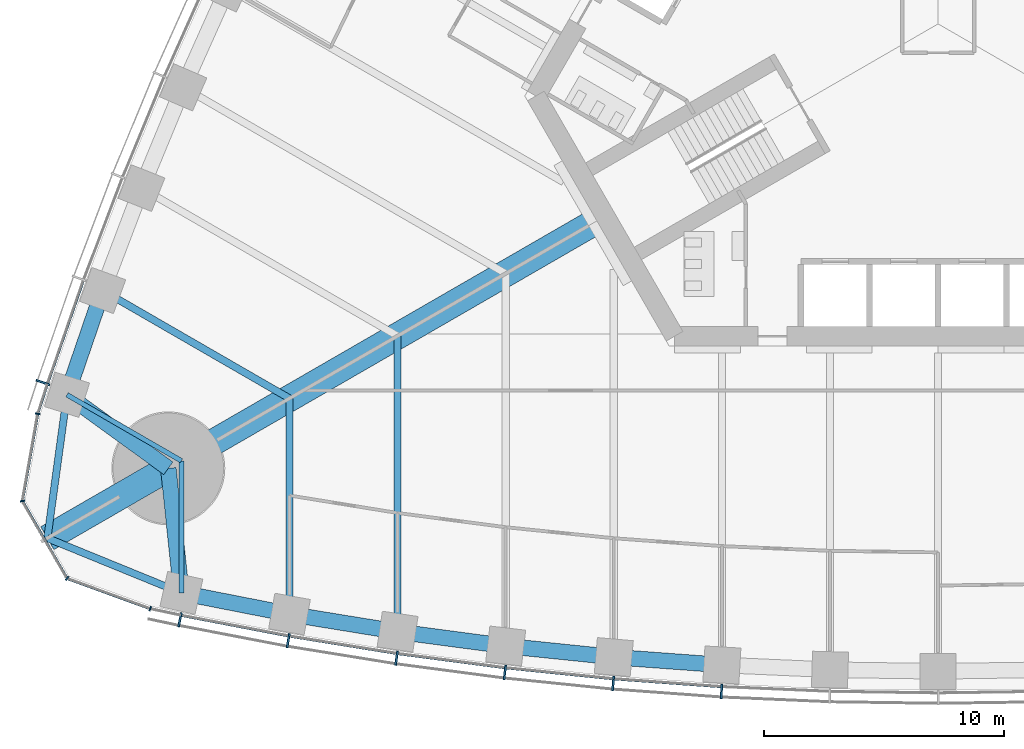
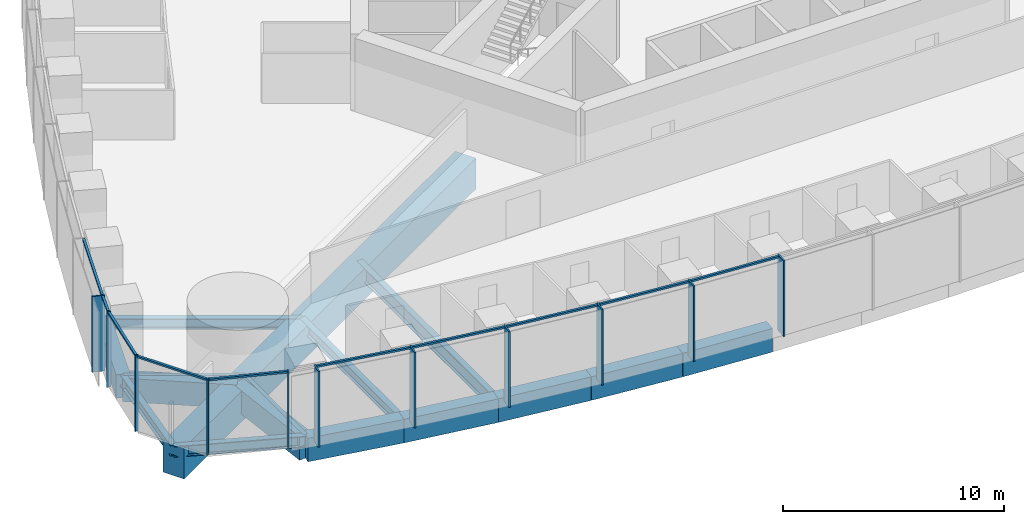
# One storey, part 2 of 18: 21 members, 17 beams, 3 elements without a shape of their own.
"""IFC4 building model written with IfcOpenShell, lengths in metres."""

from ifc_helpers import new_model, si_unit, direction, frame, origin, origin_2d, place, context, subcontext, project, spatial, rectangle, i_section, extrude, material, material_profile, profile_set, type_object, element, aggregate, save


model = new_model("IFC4")

# Units and contexts
model_context = context("Model", 3, precision=1e-05, world=origin(), true_north=direction((0.0, 1.0)))
body_context = subcontext(model_context, "Body", "Model", "MODEL_VIEW")
ifc_project = project(units=[si_unit("LENGTHUNIT", "METRE"), si_unit("AREAUNIT", "SQUARE_METRE"), si_unit("VOLUMEUNIT", "CUBIC_METRE"), si_unit("PLANEANGLEUNIT", "RADIAN"), si_unit("MASSUNIT", "GRAM", prefix="KILO")], contexts=[model_context])

# Site, building, storey
site_placement = place(None, origin())
site = spatial("IfcSite", under=ifc_project, at=site_placement, CompositionType="ELEMENT")
building_placement = place(site_placement, origin())
building = spatial("IfcBuilding", under=site, at=building_placement, Name="Trefoil Bronze Tower", CompositionType="ELEMENT")
storey_placement = place(building_placement, frame((0.0, 0.0, 33.300048828125)))
storey = spatial("IfcBuildingStorey", under=building, at=storey_placement, Name="L07", CompositionType="ELEMENT", Elevation=33.300048828125)

# Curtain wall, members
ifc_material_1 = material(Name="Tinted solar-control glass", Category="glass")
curtain_wall_type_1 = type_object("IfcCurtainWallType", Name="Bronze office curtain wall", PredefinedType="USERDEFINED", material=ifc_material_1)
curtain_wall_1_placement = place(storey_placement, origin())
curtain_wall_1 = element("IfcCurtainWall", 1, at=curtain_wall_1_placement, inside=storey, type_object=curtain_wall_type_1, Name="CW-A L07 F1", ObjectType="CURTAIN WALL", PredefinedType="USERDEFINED")
ifc_material_2 = material(Name="Bronze-finish aluminium", Category="aluminium")
ifc_material_profile_1 = material_profile(ifc_material_2, rectangle(XDim=0.60009765625, YDim=0.080078125, at=origin_2d()), Name="CW-A mullion")
ifc_profile_set_1 = profile_set([ifc_material_profile_1], Name="Bronze-finish aluminium")
member_type_1 = type_object("IfcMemberType", Name="Bronze office curtain wall mullion", PredefinedType="MULLION", material=ifc_profile_set_1)
member_1_placement = place(storey_placement, frame((-31.559326171875, -24.81005859375, 0.0), z_axis=(0.0, 0.0, 1.0), x_axis=(0.197910006829, 0.98022019424, 0.0)))
member_1 = element("IfcMember", 2, at=member_1_placement, type_object=member_type_1, Name="CW-A L07 F1 mullion 2", PredefinedType="MULLION", context=body_context, shape_type="SweptSolid", body=[
    extrude(rectangle(XDim=0.60009765625, YDim=0.080078125, at=origin_2d()), origin(), (0.0, 0.0, 1.0), 4.179931640625),
])
member_2_placement = place(storey_placement, frame((-27.05224609375, -25.67578125, 0.0), z_axis=(0.0, 0.0, 1.0), x_axis=(0.174131146426, 0.984722470468, 0.0)))
member_2 = element("IfcMember", 3, at=member_2_placement, type_object=member_type_1, Name="CW-A L07 F1 mullion 3", PredefinedType="MULLION", context=body_context, shape_type="SweptSolid", body=[
    extrude(rectangle(XDim=0.60009765625, YDim=0.080078125, at=origin_2d()), origin(), (0.0, 0.0, 1.0), 4.179931640625),
])
member_3_placement = place(storey_placement, frame((-22.54345703125, -26.40478515625, 0.0), z_axis=(0.0, 0.0, 1.0), x_axis=(0.145108990094, 0.989415676546, 0.0)))
member_3 = element("IfcMember", 4, at=member_3_placement, type_object=member_type_1, Name="CW-A L07 F1 mullion 4", PredefinedType="MULLION", context=body_context, shape_type="SweptSolid", body=[
    extrude(rectangle(XDim=0.60009765625, YDim=0.080078125, at=origin_2d()), origin(), (0.0, 0.0, 1.0), 4.179931640625),
])
member_4_placement = place(storey_placement, frame((-18.034912109375, -26.99853515625, 0.0), z_axis=(0.0, 0.0, 1.0), x_axis=(0.116086999973, 0.993239048989, 0.0)))
member_4 = element("IfcMember", 5, at=member_4_placement, type_object=member_type_1, Name="CW-A L07 F1 mullion 5", PredefinedType="MULLION", context=body_context, shape_type="SweptSolid", body=[
    extrude(rectangle(XDim=0.60009765625, YDim=0.080078125, at=origin_2d()), origin(), (0.0, 0.0, 1.0), 4.179931640625),
])
member_5_placement = place(storey_placement, frame((-13.526123046875, -27.458984375, 0.0), z_axis=(0.0, 0.0, 1.0), x_axis=(0.087065139456, 0.996202620701, 0.0)))
member_5 = element("IfcMember", 6, at=member_5_placement, type_object=member_type_1, Name="CW-A L07 F1 mullion 6", PredefinedType="MULLION", context=body_context, shape_type="SweptSolid", body=[
    extrude(rectangle(XDim=0.60009765625, YDim=0.080078125, at=origin_2d()), origin(), (0.0, 0.0, 1.0), 4.179931640625),
])
member_6_placement = place(storey_placement, frame((-9.017333984375, -27.786865234375, 0.0), z_axis=(0.0, 0.0, 1.0), x_axis=(0.058043374207, 0.998314062162, 0.0)))
member_6 = element("IfcMember", 7, at=member_6_placement, type_object=member_type_1, Name="CW-A L07 F1 mullion 7", PredefinedType="MULLION", context=body_context, shape_type="SweptSolid", body=[
    extrude(rectangle(XDim=0.60009765625, YDim=0.080078125, at=origin_2d()), origin(), (0.0, 0.0, 1.0), 4.179931640625),
])

# Curtain wall, member
curtain_wall_2_placement = place(storey_placement, origin())
curtain_wall_2 = element("IfcCurtainWall", 8, at=curtain_wall_2_placement, inside=storey, type_object=curtain_wall_type_1, Name="CW-A L07 F3", ObjectType="CURTAIN WALL", PredefinedType="USERDEFINED")
member_7_placement = place(storey_placement, frame((-37.265869140625, -14.92626953125, 0.0), z_axis=(0.0, 0.0, 1.0), x_axis=(0.947850592929, -0.318715003543, 0.0)))
member_7 = element("IfcMember", 9, at=member_7_placement, type_object=member_type_1, Name="CW-A L07 F3 mullion 16", PredefinedType="MULLION", context=body_context, shape_type="SweptSolid", body=[
    extrude(rectangle(XDim=0.60009765625, YDim=0.080078125, at=origin_2d()), origin(), (0.0, 0.0, 1.0), 4.179931640625),
])

# Member
ifc_material_3 = material(Name="Bronze-finish aluminium", Category="aluminium")
ifc_material_profile_2 = material_profile(ifc_material_3, rectangle(XDim=0.1201171875, YDim=0.10009765625, at=origin_2d()), Name="CW-A transom")
ifc_profile_set_2 = profile_set([ifc_material_profile_2], Name="Bronze-finish aluminium")
member_type_2 = type_object("IfcMemberType", Name="Bronze office curtain wall transom", PredefinedType="USERDEFINED", material=ifc_profile_set_2)
member_8_placement = place(storey_placement, frame((-31.4794921875, -24.621826171875, 4.1298828125), z_axis=(0.982053603997, -0.188602011855, 0.0), x_axis=(0.188602011855, 0.982053603997, 0.0)))
member_8 = element("IfcMember", 10, at=member_8_placement, type_object=member_type_2, Name="CW-A L07 F1 transom 2", ObjectType="TRANSOM", PredefinedType="USERDEFINED", context=body_context, shape_type="SweptSolid", body=[
    extrude(rectangle(XDim=0.1201171875, YDim=0.10009765625, at=origin_2d()), origin(), (0.0, 0.0, 1.0), 4.502197265625),
])

member_9_placement = place(storey_placement, frame((-26.9765625, -25.4853515625, 4.1298828125), z_axis=(0.987179401487, -0.159614627398, 0.0), x_axis=(0.159614627398, 0.987179401487, 0.0)))
member_9 = element("IfcMember", 11, at=member_9_placement, type_object=member_type_2, Name="CW-A L07 F1 transom 3", ObjectType="TRANSOM", PredefinedType="USERDEFINED", context=body_context, shape_type="SweptSolid", body=[
    extrude(rectangle(XDim=0.1201171875, YDim=0.10009765625, at=origin_2d()), origin(), (0.0, 0.0, 1.0), 4.478515625),
])

member_10_placement = place(storey_placement, frame((-22.473388671875, -26.212158203125, 4.1298828125), z_axis=(0.991436581643, -0.13058906761, 0.0), x_axis=(0.13058906761, 0.991436581643, 0.0)))
member_10 = element("IfcMember", 12, at=member_10_placement, type_object=member_type_2, Name="CW-A L07 F1 transom 4", ObjectType="TRANSOM", PredefinedType="USERDEFINED", context=body_context, shape_type="SweptSolid", body=[
    extrude(rectangle(XDim=0.1201171875, YDim=0.10009765625, at=origin_2d()), origin(), (0.0, 0.0, 1.0), 4.458740234375),
])

member_11_placement = place(storey_placement, frame((-17.970458984375, -26.80419921875, 4.1298828125), z_axis=(0.994831650915, -0.101538102888, 0.0), x_axis=(0.101538102888, 0.994831650915, 0.0)))
member_11 = element("IfcMember", 13, at=member_11_placement, type_object=member_type_2, Name="CW-A L07 F1 transom 5", ObjectType="TRANSOM", PredefinedType="USERDEFINED", context=body_context, shape_type="SweptSolid", body=[
    extrude(rectangle(XDim=0.1201171875, YDim=0.10009765625, at=origin_2d()), origin(), (0.0, 0.0, 1.0), 4.443359375),
])

member_12_placement = place(storey_placement, frame((-13.46728515625, -27.2626953125, 4.1298828125), z_axis=(0.997364729945, -0.07255064067, 0.0), x_axis=(0.07255064067, 0.997364729945, 0.0)))
member_12 = element("IfcMember", 14, at=member_12_placement, type_object=member_type_2, Name="CW-A L07 F1 transom 6", ObjectType="TRANSOM", PredefinedType="USERDEFINED", context=body_context, shape_type="SweptSolid", body=[
    extrude(rectangle(XDim=0.1201171875, YDim=0.10009765625, at=origin_2d()), origin(), (0.0, 0.0, 1.0), 4.431884765625),
])

aggregate(curtain_wall_1, [member_1, member_2, member_3, member_4, member_5, member_6, member_8, member_9, member_10, member_11, member_12])

member_13_placement = place(storey_placement, frame((-35.587646484375, -10.697509765625, 4.1298828125), z_axis=(-0.327689728493, -0.944785394595, 0.0), x_axis=(0.944785394595, -0.327689728493, 0.0)))
member_13 = element("IfcMember", 15, at=member_13_placement, type_object=member_type_2, Name="CW-A L07 F3 transom 15", ObjectType="TRANSOM", PredefinedType="USERDEFINED", context=body_context, shape_type="SweptSolid", body=[
    extrude(rectangle(XDim=0.1201171875, YDim=0.10009765625, at=origin_2d()), origin(), (0.0, 0.0, 1.0), 4.502197265625),
])

member_14_placement = place(storey_placement, frame((-37.089111328125, -15.02880859375, 4.1298828125), z_axis=(-0.309624219148, -0.950859002648, 0.0), x_axis=(0.950859002648, -0.309624219148, 0.0)))
member_14 = element("IfcMember", 16, at=member_14_placement, type_object=member_type_2, Name="CW-A L07 F3 transom 16", ObjectType="TRANSOM", PredefinedType="USERDEFINED", context=body_context, shape_type="SweptSolid", body=[
    extrude(rectangle(XDim=0.1201171875, YDim=0.10009765625, at=origin_2d()), origin(), (0.0, 0.0, 1.0), 1.21044921875),
])

aggregate(curtain_wall_2, [member_7, member_13, member_14])

# Curtain wall, members
ifc_material_4 = material(Name="Tinted solar-control glass", Category="glass")
curtain_wall_type_2 = type_object("IfcCurtainWallType", Name="Bronze rounded corner curtain wall", PredefinedType="USERDEFINED", material=ifc_material_4)
curtain_wall_3_placement = place(storey_placement, origin())
curtain_wall_3 = element("IfcCurtainWall", 17, at=curtain_wall_3_placement, inside=storey, type_object=curtain_wall_type_2, Name="CW-B L07 K3", ObjectType="CURTAIN WALL", PredefinedType="USERDEFINED")
ifc_material_5 = material(Name="Bronze-finish aluminium", Category="aluminium")
ifc_material_profile_3 = material_profile(ifc_material_5, rectangle(XDim=0.199951171875, YDim=0.06005859375, at=origin_2d()), Name="CW-B mullion")
ifc_profile_set_3 = profile_set([ifc_material_profile_3], Name="Bronze-finish aluminium")
member_type_3 = type_object("IfcMemberType", Name="Bronze rounded corner curtain wall mullion", PredefinedType="MULLION", material=ifc_profile_set_3)
member_15_placement = place(storey_placement, frame((-37.479736328125, -16.2314453125, 0.0), z_axis=(0.0, 0.0, 1.0), x_axis=(0.984807753012, -0.173648177667, 0.0)))
member_15 = element("IfcMember", 18, at=member_15_placement, type_object=member_type_3, Name="CW-B L07 K3 mullion 1", PredefinedType="MULLION", context=body_context, shape_type="SweptSolid", body=[
    extrude(rectangle(XDim=0.199951171875, YDim=0.06005859375, at=origin_2d()), origin(), (0.0, 0.0, 1.0), 4.179931640625),
])
member_16_placement = place(storey_placement, frame((-38.11328125, -19.85888671875, 0.0), z_axis=(0.0, 0.0, 1.0), x_axis=(0.984807753012, 0.173648177667, 0.0)))
member_16 = element("IfcMember", 19, at=member_16_placement, type_object=member_type_3, Name="CW-B L07 K3 mullion 2", PredefinedType="MULLION", context=body_context, shape_type="SweptSolid", body=[
    extrude(rectangle(XDim=0.199951171875, YDim=0.06005859375, at=origin_2d()), origin(), (0.0, 0.0, 1.0), 4.179931640625),
])
member_17_placement = place(storey_placement, frame((-36.2548828125, -23.07763671875, 0.0), z_axis=(0.0, 0.0, 1.0), x_axis=(0.642787609687, 0.766044443119, 0.0)))
member_17 = element("IfcMember", 20, at=member_17_placement, type_object=member_type_3, Name="CW-B L07 K3 mullion 3", PredefinedType="MULLION", context=body_context, shape_type="SweptSolid", body=[
    extrude(rectangle(XDim=0.199951171875, YDim=0.06005859375, at=origin_2d()), origin(), (0.0, 0.0, 1.0), 4.179931640625),
])
member_18_placement = place(storey_placement, frame((-32.796630859375, -24.3427734375, 0.0), z_axis=(0.0, 0.0, 1.0), x_axis=(0.342020143326, 0.939692620786, 0.0)))
member_18 = element("IfcMember", 21, at=member_18_placement, type_object=member_type_3, Name="CW-B L07 K3 mullion 4", PredefinedType="MULLION", context=body_context, shape_type="SweptSolid", body=[
    extrude(rectangle(XDim=0.199951171875, YDim=0.06005859375, at=origin_2d()), origin(), (0.0, 0.0, 1.0), 4.179931640625),
])
ifc_material_6 = material(Name="Bronze-finish aluminium", Category="aluminium")
ifc_material_profile_4 = material_profile(ifc_material_6, rectangle(XDim=0.1201171875, YDim=0.10009765625, at=origin_2d()), Name="CW-B transom")
ifc_profile_set_4 = profile_set([ifc_material_profile_4], Name="Bronze-finish aluminium")
member_type_4 = type_object("IfcMemberType", Name="Bronze rounded corner curtain wall transom", PredefinedType="USERDEFINED", material=ifc_profile_set_4)
member_19_placement = place(storey_placement, frame((-37.48486328125, -16.260986328125, 4.1298828125), z_axis=(-0.17363783606, -0.984809576461, 0.0), x_axis=(0.984809576461, -0.17363783606, 0.0)))
member_19 = element("IfcMember", 22, at=member_19_placement, type_object=member_type_4, Name="CW-B L07 K3 transom 1", ObjectType="TRANSOM", PredefinedType="USERDEFINED", context=body_context, shape_type="SweptSolid", body=[
    extrude(rectangle(XDim=0.1201171875, YDim=0.10009765625, at=origin_2d()), origin(), (0.0, 0.0, 1.0), 3.588134765625),
])
member_20_placement = place(storey_placement, frame((-38.08642578125, -19.91748046875, 4.1298828125), z_axis=(0.500024788772, -0.866011091507, 0.0), x_axis=(0.866011091507, 0.500024788772, 0.0)))
member_20 = element("IfcMember", 23, at=member_20_placement, type_object=member_type_4, Name="CW-B L07 K3 transom 2", ObjectType="TRANSOM", PredefinedType="USERDEFINED", context=body_context, shape_type="SweptSolid", body=[
    extrude(rectangle(XDim=0.1201171875, YDim=0.10009765625, at=origin_2d()), origin(), (0.0, 0.0, 1.0), 3.588134765625),
])
member_21_placement = place(storey_placement, frame((-36.196533203125, -23.105224609375, 4.1298828125), z_axis=(0.939688092095, -0.342032585545, 0.0), x_axis=(0.342032585545, 0.939688092095, 0.0)))
member_21 = element("IfcMember", 24, at=member_21_placement, type_object=member_type_4, Name="CW-B L07 K3 transom 3", ObjectType="TRANSOM", PredefinedType="USERDEFINED", context=body_context, shape_type="SweptSolid", body=[
    extrude(rectangle(XDim=0.1201171875, YDim=0.10009765625, at=origin_2d()), origin(), (0.0, 0.0, 1.0), 3.588134765625),
])
aggregate(curtain_wall_3, [member_15, member_16, member_17, member_18, member_19, member_20, member_21])

# Beams
ifc_material_7 = material(Name="Concrete B80", Category="concrete")
ifc_material_profile_5 = material_profile(ifc_material_7, rectangle(XDim=1.10009765625, YDim=1.699951171875, at=origin_2d()), Name="RC 1100x1700")
ifc_profile_set_5 = profile_set([ifc_material_profile_5], Name="Concrete B80")
beam_type_1 = type_object("IfcBeamType", Name="Corner cantilever RC 1100x1700", PredefinedType="BEAM", material=ifc_profile_set_5)
beam_1_placement = place(storey_placement, frame((-32.04296875, -18.5, -1.050048828125), z_axis=(-0.866030348588, -0.499991435252, 0.0), x_axis=(0.499991435252, -0.866030348588, 0.0)))
element("IfcBeam", 25, at=beam_1_placement, inside=storey, type_object=beam_type_1, Name="Corner cantilever K3 L07", PredefinedType="BEAM", context=body_context, shape_type="SweptSolid", body=[
    extrude(rectangle(XDim=1.10009765625, YDim=1.699951171875, at=origin_2d()), origin(), (0.0, 0.0, 1.0), 5.81396484375),
])
ifc_material_8 = material(Name="Steel C355", Category="steel")
ifc_material_profile_6 = material_profile(ifc_material_8, i_section(OverallWidth=0.300048828125, OverallDepth=0.60009765625, WebThickness=0.015380859375, FlangeThickness=0.030029296875, FilletRadius=0.027099609375, at=origin_2d()), Name="HEB 600")
ifc_profile_set_6 = profile_set([ifc_material_profile_6], Name="Steel C355")
beam_type_2 = type_object("IfcBeamType", Name="Corner edge beam HEB 600", PredefinedType="BEAM", material=ifc_profile_set_6)
beam_2_placement = place(storey_placement, frame((-31.5, -23.684814453125, -0.5), z_axis=(-0.925786874353, 0.378045848114, 0.0), x_axis=(-0.378045848114, -0.925786874353, 0.0)))
element("IfcBeam", 26, at=beam_2_placement, inside=storey, type_object=beam_type_2, Name="Corner edge beam F1B L07", PredefinedType="BEAM", context=body_context, shape_type="SweptSolid", body=[
    extrude(i_section(OverallWidth=0.300048828125, OverallDepth=0.60009765625, WebThickness=0.015380859375, FlangeThickness=0.030029296875, FilletRadius=0.027099609375, at=origin_2d()), origin(), (0.0, 0.0, 1.0), 6.025390625),
])
beam_3_placement = place(storey_placement, frame((-36.26171875, -15.4375, -0.5), z_axis=(-0.13550196505, -0.990777077585, 0.0), x_axis=(0.990777077585, -0.13550196505, 0.0)))
element("IfcBeam", 27, at=beam_3_placement, inside=storey, type_object=beam_type_2, Name="Corner edge beam F3A L07", PredefinedType="BEAM", context=body_context, shape_type="SweptSolid", body=[
    extrude(i_section(OverallWidth=0.300048828125, OverallDepth=0.60009765625, WebThickness=0.015380859375, FlangeThickness=0.030029296875, FilletRadius=0.027099609375, at=origin_2d()), origin(), (0.0, 0.0, 1.0), 6.025146484375),
])
ifc_material_9 = material(Name="Concrete B80", Category="concrete")
ifc_material_profile_7 = material_profile(ifc_material_9, rectangle(XDim=1.10009765625, YDim=1.699951171875, at=origin_2d()), Name="RC 1100x1700")
ifc_profile_set_7 = profile_set([ifc_material_profile_7], Name="Concrete B80")
beam_type_3 = type_object("IfcBeamType", Name="Corner girder RC 1100x1700", PredefinedType="BEAM", material=ifc_profile_set_7)
beam_4_placement = place(storey_placement, frame((-14.202880859375, -8.199951171875, -1.050048828125), z_axis=(-0.866023947468, -0.500002522405, 0.0), x_axis=(0.500002522405, -0.866023947468, 0.0)))
element("IfcBeam", 28, at=beam_4_placement, inside=storey, type_object=beam_type_3, Name="Corner girder K3 L07", PredefinedType="BEAM", context=body_context, shape_type="SweptSolid", body=[
    extrude(rectangle(XDim=1.10009765625, YDim=1.699951171875, at=origin_2d()), origin(), (0.0, 0.0, 1.0), 20.60009765625),
])
ifc_material_10 = material(Name="Concrete B80", Category="concrete")
ifc_material_profile_8 = material_profile(ifc_material_10, rectangle(XDim=0.64990234375, YDim=1.300048828125, at=origin_2d()), Name="RC 650x1300")
ifc_profile_set_8 = profile_set([ifc_material_profile_8], Name="Concrete B80")
beam_type_4 = type_object("IfcBeamType", Name="End spandrel beam RC 650x1300", PredefinedType="SPANDREL", material=ifc_profile_set_8)
for number, where, z_axis, x_axis, name in (
    (29, (-32.04296875, -18.5, -0.85009765625), (0.104153327908, -0.994561252154, 0.0), (0.994561252154, 0.104153327908, 0.0), "Spandrel F1.1 L07"),
    (30, (-36.26171875, -15.4375, -0.85009765625), (0.809254211267, -0.587458612624, 0.0), (0.587458612624, 0.809254211267, 0.0), "Spandrel F3.16 L07"),
):
    element("IfcBeam", number, at=place(storey_placement, frame(where, z_axis=z_axis, x_axis=x_axis)), inside=storey, type_object=beam_type_4, Name=name, PredefinedType="SPANDREL", context=body_context, shape_type="SweptSolid", body=[
        extrude(rectangle(XDim=0.64990234375, YDim=1.300048828125, at=origin_2d()), origin(), (0.0, 0.0, 1.0), 5.213134765625),
    ])
ifc_material_11 = material(Name="Steel C355", Category="steel")
ifc_material_profile_9 = material_profile(ifc_material_11, i_section(OverallWidth=0.300048828125, OverallDepth=0.590087890625, WebThickness=0.012939453125, FlangeThickness=0.02490234375, FilletRadius=0.027099609375, at=origin_2d()), Name="HEA 600")
ifc_profile_set_9 = profile_set([ifc_material_profile_9], Name="Steel C355")
beam_type_5 = type_object("IfcBeamType", Name="Floor beam HEA 600", PredefinedType="BEAM", material=ifc_profile_set_9)
for number, where, z_axis, x_axis, name in (
    (31, (-27.0, -24.56787109375, -0.4951171875), (0.0, 1.0, 0.0), (-1.0, 0.0, 0.0), "Floor beam F1/-6 L07"),
    (32, (-34.7763671875, -11.0986328125, -0.4951171875), (0.866022587327, -0.500004878216, 0.0), (0.500004878216, 0.866022587327, 0.0), "Floor beam F3/+6 L07"),
):
    element("IfcBeam", number, at=place(storey_placement, frame(where, z_axis=z_axis, x_axis=x_axis)), inside=storey, type_object=beam_type_5, Name=name, PredefinedType="BEAM", context=body_context, shape_type="SweptSolid", body=[
        extrude(i_section(OverallWidth=0.300048828125, OverallDepth=0.590087890625, WebThickness=0.012939453125, FlangeThickness=0.02490234375, FilletRadius=0.027099609375, at=origin_2d()), origin(), (0.0, 0.0, 1.0), 8.9794921875),
    ])
ifc_material_12 = material(Name="Steel C355", Category="steel")
ifc_material_profile_10 = material_profile(ifc_material_12, i_section(OverallWidth=0.300048828125, OverallDepth=0.800048828125, WebThickness=0.017578125, FlangeThickness=0.032958984375, FilletRadius=0.030029296875, at=origin_2d()), Name="HEB 800")
ifc_profile_set_10 = profile_set([ifc_material_profile_10], Name="Steel C355")
beam_type_6 = type_object("IfcBeamType", Name="Floor beam HEB 800", PredefinedType="BEAM", material=ifc_profile_set_10)
beam_5_placement = place(storey_placement, frame((-22.5, -25.29931640625, -0.60009765625), z_axis=(0.0, 1.0, 0.0), x_axis=(-1.0, 0.0, 0.0)))
element("IfcBeam", 33, at=beam_5_placement, inside=storey, type_object=beam_type_6, Name="Floor beam F1/-5 L07", PredefinedType="BEAM", context=body_context, shape_type="SweptSolid", body=[
    extrude(i_section(OverallWidth=0.300048828125, OverallDepth=0.800048828125, WebThickness=0.017578125, FlangeThickness=0.032958984375, FilletRadius=0.030029296875, at=origin_2d()), origin(), (0.0, 0.0, 1.0), 12.308837890625),
])
ifc_material_13 = material(Name="Steel C355", Category="steel")
ifc_material_profile_11 = material_profile(ifc_material_13, i_section(OverallWidth=0.199951171875, OverallDepth=0.5, WebThickness=0.01025390625, FlangeThickness=0.01611328125, FilletRadius=0.02099609375, at=origin_2d()), Name="IPE 500")
ifc_profile_set_11 = profile_set([ifc_material_profile_11], Name="Steel C355")
beam_type_7 = type_object("IfcBeamType", Name="Floor beam IPE 500", PredefinedType="BEAM", material=ifc_profile_set_11)
for number, where, z_axis, x_axis, name in (
    (34, (-31.5, -23.684814453125, -0.449951171875), (0.0, 1.0, 0.0), (-1.0, 0.0, 0.0), "Floor beam F1/-7 L07"),
    (35, (-36.26171875, -15.4375, -0.449951171875), (0.866037702141, -0.499978698016, 0.0), (0.499978698016, 0.866037702141, 0.0), "Floor beam F3/+7 L07"),
):
    element("IfcBeam", number, at=place(storey_placement, frame(where, z_axis=z_axis, x_axis=x_axis)), inside=storey, type_object=beam_type_7, Name=name, PredefinedType="BEAM", context=body_context, shape_type="SweptSolid", body=[
        extrude(i_section(OverallWidth=0.199951171875, OverallDepth=0.5, WebThickness=0.01025390625, FlangeThickness=0.01611328125, FilletRadius=0.02099609375, at=origin_2d()), origin(), (0.0, 0.0, 1.0), 5.498291015625),
    ])
ifc_material_14 = material(Name="Concrete B80", Category="concrete")
ifc_material_profile_12 = material_profile(ifc_material_14, rectangle(XDim=0.64990234375, YDim=1.300048828125, at=origin_2d()), Name="RC 650x1300")
ifc_profile_set_12 = profile_set([ifc_material_profile_12], Name="Concrete B80")
beam_type_8 = type_object("IfcBeamType", Name="Spandrel beam RC 650x1300", PredefinedType="SPANDREL", material=ifc_profile_set_12)
beam_6_placement = place(storey_placement, frame((-31.5, -23.684814453125, -0.85009765625), z_axis=(0.981284764092, -0.192562228283, 0.0), x_axis=(0.192562228283, 0.981284764092, 0.0)))
element("IfcBeam", 36, at=beam_6_placement, inside=storey, type_object=beam_type_8, Name="Spandrel F1.2 L07", PredefinedType="SPANDREL", context=body_context, shape_type="SweptSolid", body=[
    extrude(rectangle(XDim=0.64990234375, YDim=1.300048828125, at=origin_2d()), origin(), (0.0, 0.0, 1.0), 4.5859375),
])
beam_7_placement = place(storey_placement, frame((-27.0, -24.56787109375, -0.85009765625), z_axis=(0.987045951254, -0.160437807615, 0.0), x_axis=(0.160437807615, 0.987045951254, 0.0)))
element("IfcBeam", 37, at=beam_7_placement, inside=storey, type_object=beam_type_8, Name="Spandrel F1.3 L07", PredefinedType="SPANDREL", context=body_context, shape_type="SweptSolid", body=[
    extrude(rectangle(XDim=0.64990234375, YDim=1.300048828125, at=origin_2d()), origin(), (0.0, 0.0, 1.0), 4.55908203125),
])
beam_8_placement = place(storey_placement, frame((-22.5, -25.29931640625, -0.85009765625), z_axis=(0.991344474846, -0.131286450906, 0.0), x_axis=(0.131286450906, 0.991344474846, 0.0)))
element("IfcBeam", 38, at=beam_8_placement, inside=storey, type_object=beam_type_8, Name="Spandrel F1.4 L07", PredefinedType="SPANDREL", context=body_context, shape_type="SweptSolid", body=[
    extrude(rectangle(XDim=0.64990234375, YDim=1.300048828125, at=origin_2d()), origin(), (0.0, 0.0, 1.0), 4.539306640625),
])
beam_9_placement = place(storey_placement, frame((-18.0, -25.895263671875, -0.85009765625), z_axis=(0.994778488621, -0.102057623805, 0.0), x_axis=(0.102057623805, 0.994778488621, 0.0)))
element("IfcBeam", 39, at=beam_9_placement, inside=storey, type_object=beam_type_8, Name="Spandrel F1.5 L07", PredefinedType="SPANDREL", context=body_context, shape_type="SweptSolid", body=[
    extrude(rectangle(XDim=0.64990234375, YDim=1.300048828125, at=origin_2d()), origin(), (0.0, 0.0, 1.0), 4.523681640625),
])
beam_10_placement = place(storey_placement, frame((-13.5, -26.35693359375, -0.85009765625), z_axis=(0.997336412354, -0.072938882588, 0.0), x_axis=(0.072938882588, 0.997336412354, 0.0)))
element("IfcBeam", 40, at=beam_10_placement, inside=storey, type_object=beam_type_8, Name="Spandrel F1.6 L07", PredefinedType="SPANDREL", context=body_context, shape_type="SweptSolid", body=[
    extrude(rectangle(XDim=0.64990234375, YDim=1.300048828125, at=origin_2d()), origin(), (0.0, 0.0, 1.0), 4.511962890625),
])
beam_11_placement = place(storey_placement, frame((-34.7763671875, -11.0986328125, -0.85009765625), z_axis=(-0.323883319148, -0.946097032855, 0.0), x_axis=(0.946097032855, -0.323883319148, 0.0)))
element("IfcBeam", 41, at=beam_11_placement, inside=storey, type_object=beam_type_8, Name="Spandrel F3.15 L07", PredefinedType="SPANDREL", context=body_context, shape_type="SweptSolid", body=[
    extrude(rectangle(XDim=0.64990234375, YDim=1.300048828125, at=origin_2d()), origin(), (0.0, 0.0, 1.0), 4.586181640625),
])

save(model, "model.ifc")
